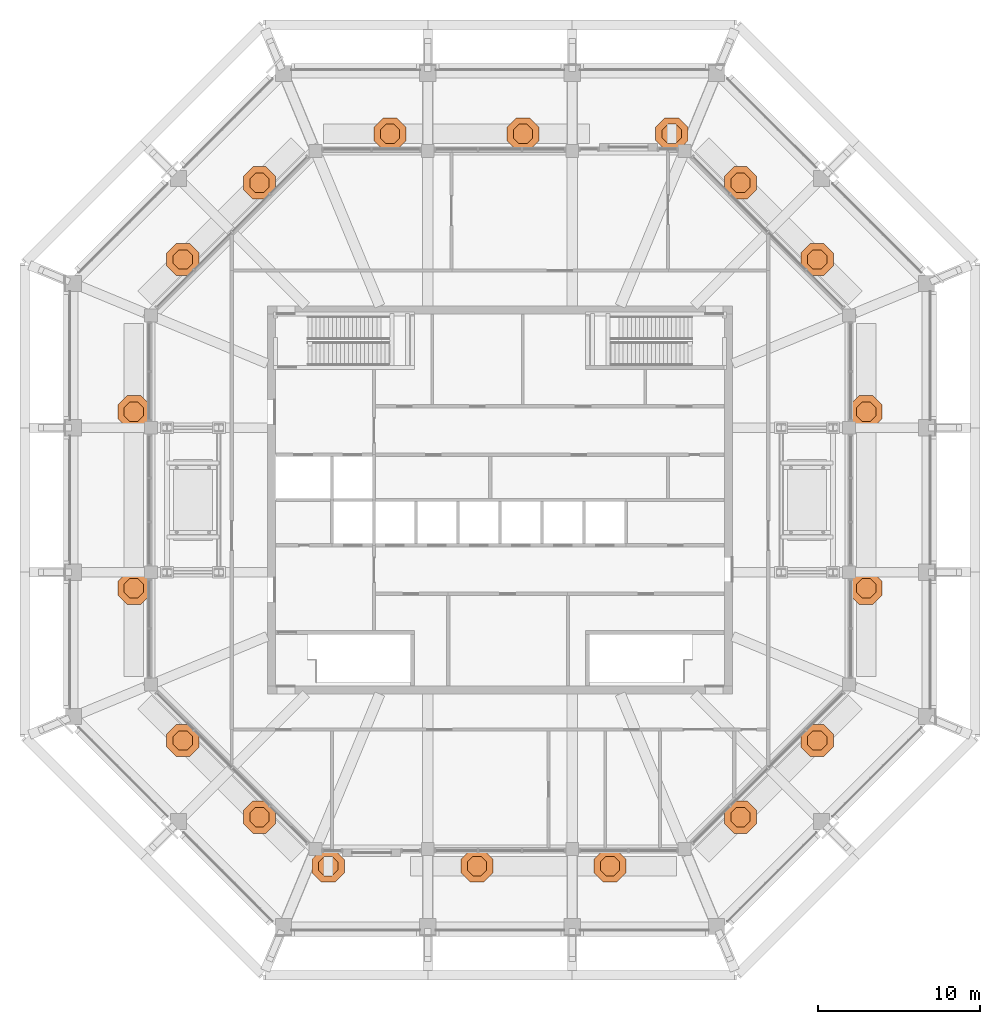
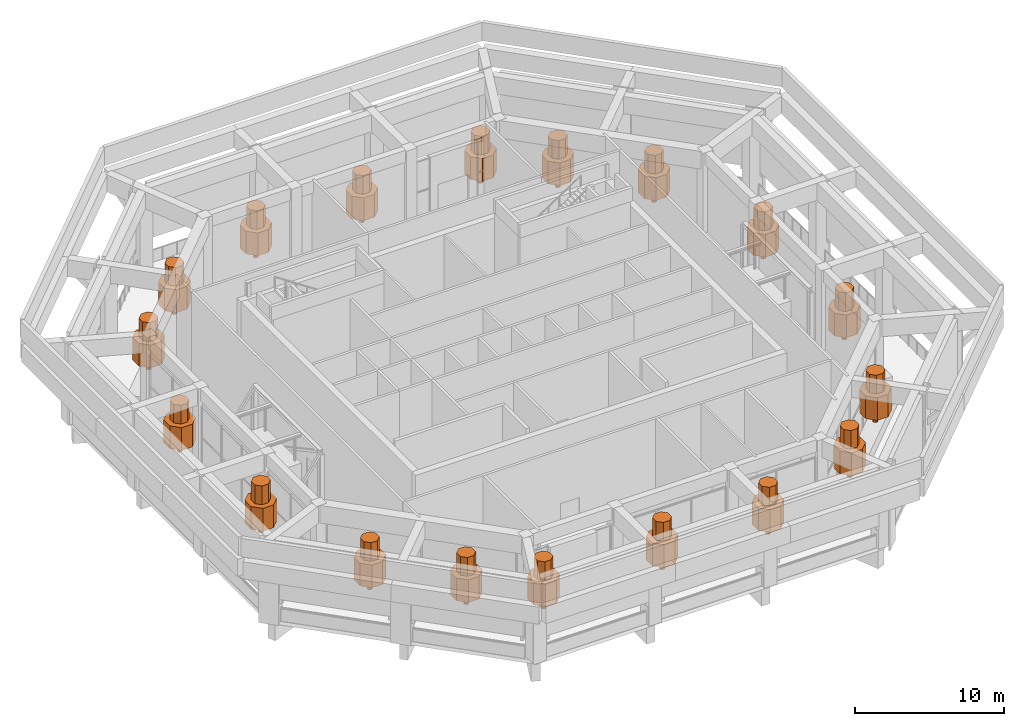
# One storey, part 29 of 29: 18 geographic elements.
"""IFC4 building model written with IfcOpenShell, lengths in metres."""

from ifc_helpers import new_model, si_unit, direction, frame, origin, place, context, subcontext, project, spatial, polyline, outline, extrude, material, type_object, element, save


model = new_model("IFC4")

# Units and contexts
model_context = context("Model", 3, precision=1e-05, world=origin(), true_north=direction((0.0, 1.0)))
body_context = subcontext(model_context, "Body", "Model", "MODEL_VIEW")
ifc_project = project(units=[si_unit("LENGTHUNIT", "METRE"), si_unit("AREAUNIT", "SQUARE_METRE"), si_unit("VOLUMEUNIT", "CUBIC_METRE"), si_unit("PLANEANGLEUNIT", "RADIAN"), si_unit("MASSUNIT", "GRAM", prefix="KILO")], contexts=[model_context])

# Site, building, storey
site_placement = place(None, origin())
site = spatial("IfcSite", under=ifc_project, at=site_placement, CompositionType="ELEMENT")
building_placement = place(site_placement, origin())
building = spatial("IfcBuilding", under=site, at=building_placement, Name="Msitu Wima Residences", CompositionType="ELEMENT")
storey_placement = place(building_placement, frame((0.0, 0.0, 320.10009765625)))
storey = spatial("IfcBuildingStorey", under=building, at=storey_placement, Name="L74", CompositionType="ELEMENT", Elevation=320.10009765625)

# Geographic elements
ifc_material = material(Name="Foliage and planting")
geographic_element_type = type_object("IfcGeographicElementType", Name="Tree TR1", PredefinedType="USERDEFINED", material=ifc_material)
for number, where, z_axis, x_axis, name in (
    (1, (22.64990234375, -5.460205078125, 0.89990234375), (0.0, 0.0, 1.0), (1.0, 0.0, 0.0), "Tree deck 0a1"),
    (2, (22.64990234375, 5.460205078125, 0.89990234375), (0.0, 0.0, 1.0), (1.0, 0.0, 0.0), "Tree deck 0a2"),
    (3, (19.62109375, 14.88134765625, 0.89990234375), (0.0, 0.0, 1.0), (1.0, 0.0, 0.0), "Tree deck 1a1"),
    (4, (14.88134765625, 19.62109375, 0.89990234375), (0.0, 0.0, 1.0), (1.0, 0.0, 0.0), "Tree deck 1a2"),
    (5, (10.63037109375, 22.64990234375, 0.89990234375), (0.0, 0.0, 1.0), (1.0, 0.0, 0.0), "Tree deck 2a1"),
    (6, (1.4248046875, 22.64990234375, 0.89990234375), (0.0, 0.0, 1.0), (1.0, 0.0, 0.0), "Tree deck 2b1"),
    (7, (-6.805419921875, 22.64990234375, 0.89990234375), (0.0, 0.0, 1.0), (1.0, 0.0, 0.0), "Tree deck 2b2"),
    (8, (-14.88134765625, 19.62109375, 0.89990234375), (0.0, 0.0, 1.0), (1.0, 0.0, 0.0), "Tree deck 3a1"),
    (9, (-19.62109375, 14.88134765625, 0.89990234375), (0.0, 0.0, 1.0), (1.0, 0.0, 0.0), "Tree deck 3a2"),
    (10, (-22.64990234375, 5.460205078125, 0.89990234375), (0.0, 0.0, 1.0), (1.0, 0.0, 0.0), "Tree deck 4a1"),
    (11, (-22.64990234375, -5.460205078125, 0.89990234375), (0.0, 0.0, 1.0), (1.0, 0.0, 0.0), "Tree deck 4a2"),
    (12, (-19.62109375, -14.88134765625, 0.89990234375), (0.0, 0.0, 1.0), (1.0, 0.0, 0.0), "Tree deck 5a1"),
    (13, (-14.88134765625, -19.62109375, 0.89990234375), (0.0, 0.0, 1.0), (1.0, 0.0, 0.0), "Tree deck 5a2"),
    (14, (-10.63037109375, -22.64990234375, 0.89990234375), (0.0, 0.0, 1.0), (1.0, 0.0, 0.0), "Tree deck 6a1"),
    (15, (-1.4248046875, -22.64990234375, 0.89990234375), (0.0, 0.0, 1.0), (1.0, 0.0, 0.0), "Tree deck 6b1"),
    (16, (6.805419921875, -22.64990234375, 0.89990234375), (0.0, 0.0, 1.0), (1.0, 0.0, 0.0), "Tree deck 6b2"),
    (17, (14.88134765625, -19.62109375, 0.89990234375), (0.0, 0.0, 1.0), (1.0, 0.0, 0.0), "Tree deck 7a1"),
    (18, (19.62109375, -14.88134765625, 0.89990234375), (0.0, 0.0, 1.0), (1.0, 0.0, 0.0), "Tree deck 7a2"),
):
    element("IfcGeographicElement", number, at=place(storey_placement, frame(where, z_axis=z_axis, x_axis=x_axis)), inside=storey, type_object=geographic_element_type, Name=name, ObjectType="TREE", PredefinedType="USERDEFINED", context=body_context, shape_type="SweptSolid", body=[
        extrude(outline(polyline([(0.175048828125, 0.072509765625), (0.072509765625, 0.175048828125), (-0.072509765625, 0.175048828125), (-0.175048828125, 0.072509765625), (-0.175048828125, -0.072509765625), (-0.072509765625, -0.175048828125), (0.072509765625, -0.175048828125), (0.175048828125, -0.072509765625), (0.175048828125, 0.072509765625)])), origin(), (0.0, 0.0, 1.0), 0.89990234375),
        extrude(outline(polyline([(1.0, 0.414306640625), (0.414306640625, 1.0), (-0.414306640625, 1.0), (-1.0, 0.414306640625), (-1.0, -0.414306640625), (-0.414306640625, -1.0), (0.414306640625, -1.0), (1.0, -0.414306640625), (1.0, 0.414306640625)])), frame((0.0, 0.0, 0.800048828125)), (0.0, 0.0, 1.0), 1.8701171875),
        extrude(outline(polyline([(0.60009765625, 0.24853515625), (0.24853515625, 0.60009765625), (-0.24853515625, 0.60009765625), (-0.60009765625, 0.24853515625), (-0.60009765625, -0.24853515625), (-0.24853515625, -0.60009765625), (0.24853515625, -0.60009765625), (0.60009765625, -0.24853515625), (0.60009765625, 0.24853515625)])), frame((0.0, 0.0, 2.669921875)), (0.0, 0.0, 1.0), 1.530029296875),
    ])

save(model, "model.ifc")
